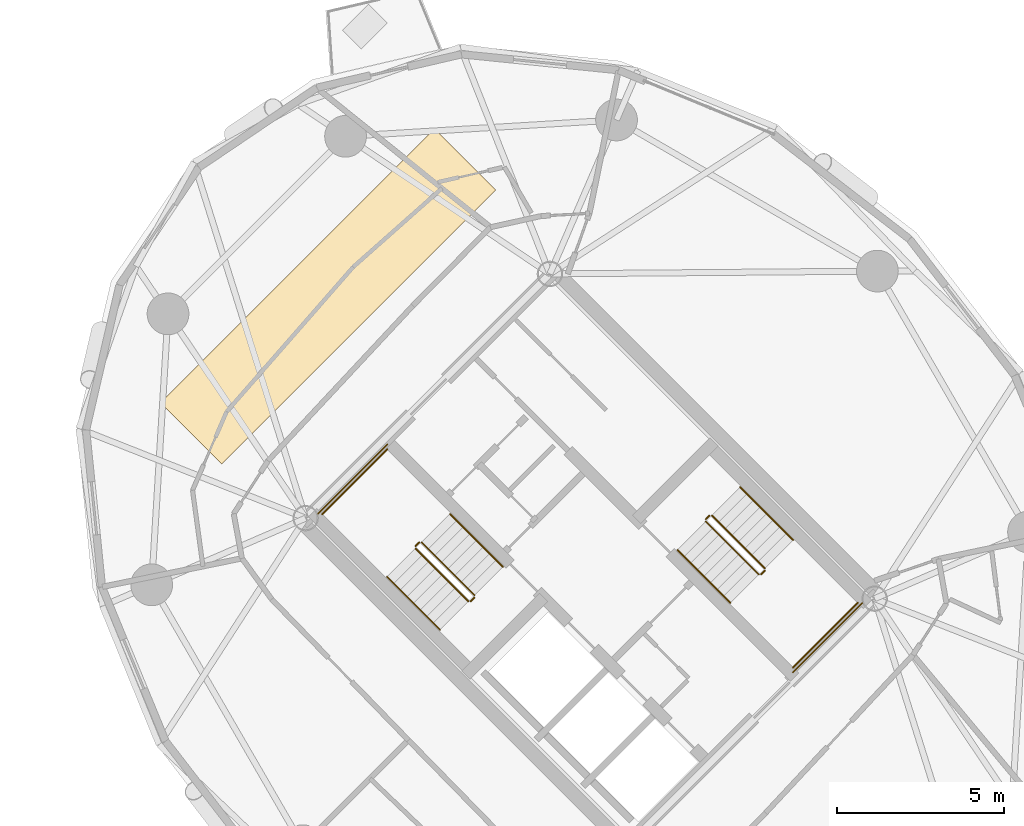
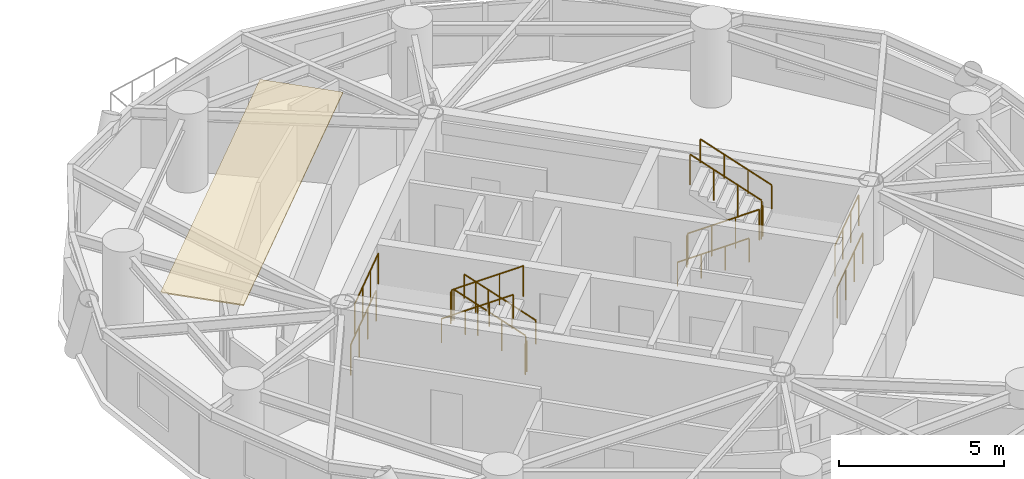
# One storey, part 15 of 16: 16 railings, 1 covering.
"""IFC4 building model written with IfcOpenShell, lengths in metres."""

import ifcopenshell
import ifcopenshell.guid

model = None  # the IFC model being written
_history = None  # IfcOwnerHistory: only IFC2X3 demands one
_inside = {}  # id of a spatial element -> (the spatial element, [elements in it])
_under = {}  # id of a project, library or spatial element -> (it, [spatial elements below it])
_declared = {}  # id of a project -> (the project, [libraries it declares])
_typed = {}  # id of a type object -> (the type object, [elements of that type])
_made_of = {}  # id of a material, layer set ... -> (it, [elements and type objects made of it])


def new_model(schema):
    """Start an empty IFC model of exactly this schema.

    Asked for "IFC4X3", IfcOpenShell would pick the latest addendum, in which some entities
    have other attributes; the version numbers below select the first issue.
    IFC2X3 requires an IfcOwnerHistory on every rooted entity: one is made here for all.
    """
    global model, _history
    if schema == "IFC4X3":
        model = ifcopenshell.file(schema_version=(4, 3, 0, 0))
    else:
        model = ifcopenshell.file(schema=schema)
    _inside.clear()
    _under.clear()
    _declared.clear()
    _typed.clear()
    _made_of.clear()
    _history = None
    if model.schema == "IFC2X3":
        org = make("IfcOrganization", Name="unknown")
        user = make(
            "IfcPersonAndOrganization",
            ThePerson=make("IfcPerson", FamilyName="unknown"),
            TheOrganization=org,
        )
        app = make(
            "IfcApplication",
            ApplicationDeveloper=org,
            Version="unknown",
            ApplicationFullName="unknown",
            ApplicationIdentifier="unknown",
        )
        _history = make(
            "IfcOwnerHistory",
            OwningUser=user,
            OwningApplication=app,
            ChangeAction="ADDED",
            CreationDate=0,
        )
    return model


def make(cls, **values):
    """One entity of the class cls with the attributes given. An attribute that is None is left unset."""
    return model.create_entity(
        cls, **{name: value for name, value in values.items() if value is not None}
    )


def rooted(cls, **values):
    """An entity with a GlobalId (a new one), such as an element, a storey or a relation."""
    return make(cls, GlobalId=ifcopenshell.guid.new(), OwnerHistory=_history, **values)


def si_unit(unit_type, name, prefix=None):
    """IfcSIUnit, for example si_unit("LENGTHUNIT", "METRE", prefix="MILLI")."""
    return make("IfcSIUnit", UnitType=unit_type, Prefix=prefix, Name=name)


def assignment(units):
    """IfcUnitAssignment: the units of a project."""
    return None if units is None else make("IfcUnitAssignment", Units=units)


def point(xyz):
    """IfcCartesianPoint."""
    return None if xyz is None else make("IfcCartesianPoint", Coordinates=xyz)


def direction(xyz):
    """IfcDirection."""
    return None if xyz is None else make("IfcDirection", DirectionRatios=xyz)


def frame(location, z_axis=None, x_axis=None):
    """IfcAxis2Placement3D, a coordinate frame: its origin and axes. An axis left out is left unset."""
    return make(
        "IfcAxis2Placement3D",
        Location=point(location),
        Axis=direction(z_axis),
        RefDirection=direction(x_axis),
    )


def frame_2d(location, x_axis=None):
    """IfcAxis2Placement2D, a coordinate frame in the plane: its origin and x axis."""
    return make(
        "IfcAxis2Placement2D", Location=point(location), RefDirection=direction(x_axis)
    )


def origin():
    """The frame at (0, 0, 0) with its axes left unset."""
    return frame((0.0, 0.0, 0.0))


def origin_2d():
    """The frame at (0, 0) in the plane with its x axis left unset."""
    return frame_2d((0.0, 0.0))


def place(relative_to, where):
    """IfcLocalPlacement: puts the frame where relative to a parent placement (None: the world)."""
    return make(
        "IfcLocalPlacement", PlacementRelTo=relative_to, RelativePlacement=where
    )


def context(
    kind, dimensions, precision=None, world=None, true_north=None, identifier=None
):
    """IfcGeometricRepresentationContext, for example the 3D "Model" context."""
    return make(
        "IfcGeometricRepresentationContext",
        ContextIdentifier=identifier,
        ContextType=kind,
        CoordinateSpaceDimension=dimensions,
        Precision=precision,
        WorldCoordinateSystem=world,
        TrueNorth=true_north,
    )


def subcontext(parent, identifier, kind, view, scale=None):
    """IfcGeometricRepresentationSubContext, for example "Body" below "Model"."""
    return make(
        "IfcGeometricRepresentationSubContext",
        ContextIdentifier=identifier,
        ContextType=kind,
        ParentContext=parent,
        TargetScale=scale,
        TargetView=view,
    )


def project(units=None, contexts=None):
    """IfcProject with its units and contexts."""
    return rooted(
        "IfcProject",
        Name="project",
        RepresentationContexts=contexts,
        UnitsInContext=assignment(units),
    )


def spatial(cls, under=None, at=None, **own):
    """A site, building, storey or space (cls), placed at a placement, below another one or the project."""
    s = rooted(cls, ObjectPlacement=at, **own)
    if under is not None:
        _under.setdefault(under.id(), (under, []))[1].append(s)
    return s


def polyline(points):
    """IfcPolyline through the points."""
    return make("IfcPolyline", Points=[point(p) for p in points])


def profile(cls, at=None, kind="AREA", **sizes):
    """A parametric profile (cls). Its sizes go by their IFC names, for example OverallWidth=200.0."""
    return make(cls, ProfileType=kind, Position=at, **sizes)


def circle(**sizes):
    """IfcCircleProfileDef."""
    return profile("IfcCircleProfileDef", **sizes)


def outline(outer, holes=None, kind="AREA"):
    """IfcArbitraryClosedProfileDef: a profile drawn as a closed curve; with holes, ...WithVoids."""
    if holes is None:
        return make("IfcArbitraryClosedProfileDef", ProfileType=kind, OuterCurve=outer)
    return make(
        "IfcArbitraryProfileDefWithVoids",
        ProfileType=kind,
        OuterCurve=outer,
        InnerCurves=holes,
    )


def extrude(swept, where, along, depth):
    """IfcExtrudedAreaSolid: the profile swept, set in the frame where, extruded along a direction by depth."""
    return make(
        "IfcExtrudedAreaSolid",
        SweptArea=swept,
        Position=where,
        ExtrudedDirection=direction(along),
        Depth=depth,
    )


def shape(context_of_items, identifier, shape_type, items):
    """IfcShapeRepresentation: the items that make up one representation, for example the "Body"."""
    return make(
        "IfcShapeRepresentation",
        ContextOfItems=context_of_items,
        RepresentationIdentifier=identifier,
        RepresentationType=shape_type,
        Items=items,
    )


def material(Name=None, Category=None):
    """IfcMaterial."""
    return make("IfcMaterial", Name=Name, Category=Category)


def layer(
    of_material, thickness, ventilated=None, Name=None, Category=None, Priority=None
):
    """IfcMaterialLayer: one layer of a wall or slab, of a material (None: an air gap)."""
    return make(
        "IfcMaterialLayer",
        Material=of_material,
        LayerThickness=thickness,
        IsVentilated=ventilated,
        Name=Name,
        Category=Category,
        Priority=Priority,
    )


def layer_set(layers, Name=None):
    """IfcMaterialLayerSet."""
    return make("IfcMaterialLayerSet", MaterialLayers=layers, LayerSetName=Name)


def made_of(thing, what):
    """Note that an element or type object is made of a material, layer set ...; save() writes the relation."""
    if what is not None:
        _made_of.setdefault(what.id(), (what, []))[1].append(thing)
    return thing


def type_object(cls, material=None, **own):
    """A type object (cls), such as IfcWallType, which elements share."""
    return made_of(rooted(cls, **own), material)


def element(
    cls,
    number,
    at=None,
    inside=None,
    cuts=None,
    type_object=None,
    material=None,
    context=None,
    identifier="Body",
    shape_type=None,
    held_by="IfcProductDefinitionShape",
    body=None,
    shapes=None,
    **own,
):
    """One element of the class cls, such as IfcWall. Its Tag is "e" and its number.

    at: its placement. inside: the storey or other place that contains it. cuts: it is an
    opening in that element (IfcRelVoidsElement). A single representation is given by context,
    identifier, shape_type and body (its items); several are given by shapes. held_by: the class
    of the entity that holds the representations. save() writes the other relations.
    """
    e = rooted(cls, Tag="e%d" % number, ObjectPlacement=at, **own)
    if body is not None:
        shapes = [shape(context, identifier, shape_type, body)]
    if shapes is not None:
        e.Representation = make(held_by, Representations=shapes)
    if inside is not None:
        _inside.setdefault(inside.id(), (inside, []))[1].append(e)
    if cuts is not None:
        rooted(
            "IfcRelVoidsElement", RelatingBuildingElement=cuts, RelatedOpeningElement=e
        )
    if type_object is not None:
        _typed.setdefault(type_object.id(), (type_object, []))[1].append(e)
    return made_of(e, material)


def aggregate(whole, parts):
    """IfcRelAggregates: a whole, such as a stair, and the parts it consists of."""
    return rooted("IfcRelAggregates", RelatingObject=whole, RelatedObjects=parts)


def save(model, path):
    """Write the relations noted so far, then the file.

    IfcRelAggregates (storeys below a building ...), IfcRelContainedInSpatialStructure (elements
    in a storey), IfcRelDefinesByType, IfcRelAssociatesMaterial and IfcRelDeclares: one each for
    every whole, place, type object, material and project.
    """
    for whole, parts in _under.values():
        aggregate(whole, parts)
    for where, things in _inside.values():
        rooted(
            "IfcRelContainedInSpatialStructure",
            RelatedElements=things,
            RelatingStructure=where,
        )
    for kind, things in _typed.values():
        rooted("IfcRelDefinesByType", RelatedObjects=things, RelatingType=kind)
    for what, things in _made_of.values():
        rooted("IfcRelAssociatesMaterial", RelatedObjects=things, RelatingMaterial=what)
    for by, libraries in _declared.values():
        rooted("IfcRelDeclares", RelatingContext=by, RelatedDefinitions=libraries)
    model.write(path)


model = new_model("IFC4")

# Units and contexts
model_context = context("Model", 3, precision=1e-05, world=origin(), true_north=direction((0.0, 1.0)))
body_context = subcontext(model_context, "Body", "Model", "MODEL_VIEW")
ifc_project = project(units=[si_unit("LENGTHUNIT", "METRE"), si_unit("AREAUNIT", "SQUARE_METRE"), si_unit("VOLUMEUNIT", "CUBIC_METRE"), si_unit("PLANEANGLEUNIT", "RADIAN"), si_unit("MASSUNIT", "GRAM", prefix="KILO")], contexts=[model_context])

# Site, building, storey
site_placement = place(None, origin())
site = spatial("IfcSite", under=ifc_project, at=site_placement, CompositionType="ELEMENT")
building_placement = place(site_placement, origin())
building = spatial("IfcBuilding", under=site, at=building_placement, Name="Cununo Teusaquillo Station Towers", CompositionType="ELEMENT")
storey_placement = place(building_placement, frame((0.0, 0.0, 171.969970703125)))
storey = spatial("IfcBuildingStorey", under=building, at=storey_placement, Name="L54", CompositionType="ELEMENT", Elevation=171.969970703125)

# Covering
ifc_material_1 = material(Name="Mineral-fibre acoustic suspended ceiling tile", Category="finish")
ifc_layer = layer(ifc_material_1, 0.044921875)
ifc_layer_set = layer_set([ifc_layer], Name="Mineral-fibre acoustic suspended ceiling tile")
covering_type = type_object("IfcCoveringType", Name="COV-CEIL-600", PredefinedType="CEILING", material=ifc_layer_set)
covering_placement = place(storey_placement, frame((0.0, 0.0, 2.64501953125)))
element("IfcCovering", 1, at=covering_placement, inside=storey, type_object=covering_type, Name="L54 Tower B Acoustic Ceiling", PredefinedType="CEILING", context=body_context, shape_type="SweptSolid", body=[
    extrude(outline(polyline([(52.8330078125, 37.369384765625), (54.671630859375, 35.531005859375), (46.468994140625, 27.328369140625), (44.630615234375, 29.1669921875), (52.8330078125, 37.369384765625)])), origin(), (0.0, 0.0, 1.0), 0.044921875),
])

# Railings
ifc_material_2 = material(Name="Steel EN 10025-2 S355J2", Category="steel")
railing_type_1 = type_object("IfcRailingType", Name="RL-INT-GUARD", PredefinedType="GUARDRAIL", material=ifc_material_2)
railing_1_placement = place(storey_placement, frame((54.03515625, 23.39697265625, 0.16162109375)))
element("IfcRailing", 2, at=railing_1_placement, inside=storey, type_object=railing_type_1, Name="L54 ST-T2-1 stair guard 1", PredefinedType="GUARDRAIL", context=body_context, shape_type="SweptSolid", body=[
    extrude(circle(Radius=0.02392578125, at=origin_2d()), frame((0.0, 0.0, 1.1259765625), z_axis=(-0.612332353853, 0.612332353853, 0.500098167213), x_axis=(-0.707106781187, -0.707106781187, 0.0)), (0.0, 0.0, 1.0), 2.58642578125),
    extrude(circle(Radius=0.02099609375, at=origin_2d()), origin(), (0.0, 0.0, 1.0), 1.101806640625),
    extrude(circle(Radius=0.02099609375, at=origin_2d()), frame((-0.52783203125, 0.52783203125, 0.43115234375)), (0.0, 0.0, 1.0), 1.101806640625),
    extrude(circle(Radius=0.02099609375, at=origin_2d()), frame((-1.055908203125, 1.055908203125, 0.8623046875)), (0.0, 0.0, 1.0), 1.101806640625),
    extrude(circle(Radius=0.02099609375, at=origin_2d()), frame((-1.583740234375, 1.583740234375, 1.29345703125)), (0.0, 0.0, 1.0), 1.101806640625),
])
railing_2_placement = place(storey_placement, frame((52.380615234375, 24.980712890625, 1.455078125)))
element("IfcRailing", 3, at=railing_2_placement, inside=storey, type_object=railing_type_1, Name="L54 ST-T2-1 stair guard 2", PredefinedType="GUARDRAIL", context=body_context, shape_type="SweptSolid", body=[
    extrude(circle(Radius=0.02392578125, at=origin_2d()), frame((0.0, 0.0, 1.1259765625), z_axis=(-0.7078691598, -0.706343579714, 0.0), x_axis=(0.706343579714, -0.7078691598, 0.0)), (0.0, 0.0, 1.0), 0.159912109375),
    extrude(circle(Radius=0.02099609375, at=origin_2d()), origin(), (0.0, 0.0, 1.0), 1.101806640625),
    extrude(circle(Radius=0.02099609375, at=origin_2d()), frame((-0.11328125, -0.113037109375, 0.0)), (0.0, 0.0, 1.0), 1.101806640625),
])
railing_3_placement = place(storey_placement, frame((51.426025390625, 27.77392578125, 1.455078125)))
element("IfcRailing", 4, at=railing_3_placement, inside=storey, type_object=railing_type_1, Name="L54 ST-T2-1 stair guard 3", PredefinedType="GUARDRAIL", context=body_context, shape_type="SweptSolid", body=[
    extrude(circle(Radius=0.02392578125, at=origin_2d()), frame((0.0, 0.0, 1.1259765625), z_axis=(-0.707106781187, -0.707106781187, 0.0), x_axis=(0.707106781187, -0.707106781187, 0.0)), (0.0, 0.0, 1.0), 2.760009765625),
    extrude(circle(Radius=0.02099609375, at=origin_2d()), origin(), (0.0, 0.0, 1.0), 1.101806640625),
    extrude(circle(Radius=0.02099609375, at=origin_2d()), frame((-0.650634765625, -0.650634765625, 0.0)), (0.0, 0.0, 1.0), 1.101806640625),
    extrude(circle(Radius=0.02099609375, at=origin_2d()), frame((-1.301025390625, -1.301025390625, 0.0)), (0.0, 0.0, 1.0), 1.101806640625),
    extrude(circle(Radius=0.02099609375, at=origin_2d()), frame((-1.95166015625, -1.95166015625, 0.0)), (0.0, 0.0, 1.0), 1.101806640625),
])
railing_4_placement = place(storey_placement, frame((52.267333984375, 24.796875, 1.61669921875)))
element("IfcRailing", 5, at=railing_4_placement, inside=storey, type_object=railing_type_1, Name="L54 ST-T2-1 stair guard 4", PredefinedType="GUARDRAIL", context=body_context, shape_type="SweptSolid", body=[
    extrude(circle(Radius=0.02392578125, at=origin_2d()), frame((0.0, 0.0, 1.1259765625), z_axis=(0.612420254088, -0.612325861324, 0.499998471934), x_axis=(0.707052281454, 0.707161276719, 0.0)), (0.0, 0.0, 1.0), 2.58642578125),
    extrude(circle(Radius=0.02099609375, at=origin_2d()), origin(), (0.0, 0.0, 1.0), 1.101806640625),
    extrude(circle(Radius=0.02099609375, at=origin_2d()), frame((0.528076171875, -0.52783203125, 0.43115234375)), (0.0, 0.0, 1.0), 1.101806640625),
    extrude(circle(Radius=0.02099609375, at=origin_2d()), frame((1.055908203125, -1.055908203125, 0.862060546875)), (0.0, 0.0, 1.0), 1.101806640625),
    extrude(circle(Radius=0.02099609375, at=origin_2d()), frame((1.583984375, -1.583740234375, 1.293212890625)), (0.0, 0.0, 1.0), 1.101806640625),
])
railing_5_placement = place(storey_placement, frame((54.03515625, 23.326171875, 0.0)))
element("IfcRailing", 6, at=railing_5_placement, inside=storey, type_object=railing_type_1, Name="L54 ST-T2-1 stair guard 5", PredefinedType="GUARDRAIL", context=body_context, shape_type="SweptSolid", body=[
    extrude(circle(Radius=0.02392578125, at=origin_2d()), frame((0.0, 0.0, 1.1259765625), z_axis=(-0.707106781187, -0.707106781187, 0.0), x_axis=(0.707106781187, -0.707106781187, 0.0)), (0.0, 0.0, 1.0), 0.159912109375),
    extrude(circle(Radius=0.02099609375, at=origin_2d()), origin(), (0.0, 0.0, 1.0), 1.101806640625),
    extrude(circle(Radius=0.02099609375, at=origin_2d()), frame((-0.113037109375, -0.113037109375, 0.0)), (0.0, 0.0, 1.0), 1.101806640625),
])
railing_6_placement = place(storey_placement, frame((51.426025390625, 27.915283203125, 0.0)))
element("IfcRailing", 7, at=railing_6_placement, inside=storey, type_object=railing_type_1, Name="L54 ST-T2-1 stair guard 6", PredefinedType="GUARDRAIL", context=body_context, shape_type="SweptSolid", body=[
    extrude(circle(Radius=0.02392578125, at=origin_2d()), frame((0.0, 0.0, 1.1259765625), z_axis=(-0.707106781187, -0.707106781187, 0.0), x_axis=(0.707106781187, -0.707106781187, 0.0)), (0.0, 0.0, 1.0), 2.9599609375),
    extrude(circle(Radius=0.02099609375, at=origin_2d()), origin(), (0.0, 0.0, 1.0), 1.101806640625),
    extrude(circle(Radius=0.02099609375, at=origin_2d()), frame((-0.69775390625, -0.69775390625, 0.0)), (0.0, 0.0, 1.0), 1.101806640625),
    extrude(circle(Radius=0.02099609375, at=origin_2d()), frame((-1.395263671875, -1.395263671875, 0.0)), (0.0, 0.0, 1.0), 1.101806640625),
    extrude(circle(Radius=0.02099609375, at=origin_2d()), frame((-2.093017578125, -2.093017578125, 0.0)), (0.0, 0.0, 1.0), 1.101806640625),
])
railing_7_placement = place(storey_placement, frame((60.96484375, 25.60302734375, 0.16162109375)))
element("IfcRailing", 8, at=railing_7_placement, inside=storey, type_object=railing_type_1, Name="L54 ST-T2-2 stair guard 1", PredefinedType="GUARDRAIL", context=body_context, shape_type="SweptSolid", body=[
    extrude(circle(Radius=0.02392578125, at=origin_2d()), frame((0.0, 0.0, 1.1259765625), z_axis=(0.612332353853, -0.612332353853, 0.500098167213), x_axis=(0.707106781187, 0.707106781187, 0.0)), (0.0, 0.0, 1.0), 2.58642578125),
    extrude(circle(Radius=0.02099609375, at=origin_2d()), origin(), (0.0, 0.0, 1.0), 1.101806640625),
    extrude(circle(Radius=0.02099609375, at=origin_2d()), frame((0.52783203125, -0.52783203125, 0.43115234375)), (0.0, 0.0, 1.0), 1.101806640625),
    extrude(circle(Radius=0.02099609375, at=origin_2d()), frame((1.055908203125, -1.055908203125, 0.8623046875)), (0.0, 0.0, 1.0), 1.101806640625),
    extrude(circle(Radius=0.02099609375, at=origin_2d()), frame((1.583740234375, -1.583740234375, 1.29345703125)), (0.0, 0.0, 1.0), 1.101806640625),
])
railing_8_placement = place(storey_placement, frame((62.619384765625, 24.019287109375, 1.455078125)))
element("IfcRailing", 9, at=railing_8_placement, inside=storey, type_object=railing_type_1, Name="L54 ST-T2-2 stair guard 2", PredefinedType="GUARDRAIL", context=body_context, shape_type="SweptSolid", body=[
    extrude(circle(Radius=0.02392578125, at=origin_2d()), frame((0.0, 0.0, 1.1259765625), z_axis=(0.7078691598, 0.706343579714, 0.0), x_axis=(-0.706343579714, 0.7078691598, 0.0)), (0.0, 0.0, 1.0), 0.159912109375),
    extrude(circle(Radius=0.02099609375, at=origin_2d()), origin(), (0.0, 0.0, 1.0), 1.101806640625),
    extrude(circle(Radius=0.02099609375, at=origin_2d()), frame((0.11328125, 0.113037109375, 0.0)), (0.0, 0.0, 1.0), 1.101806640625),
])
railing_9_placement = place(storey_placement, frame((63.573974609375, 21.22607421875, 1.455078125)))
element("IfcRailing", 10, at=railing_9_placement, inside=storey, type_object=railing_type_1, Name="L54 ST-T2-2 stair guard 3", PredefinedType="GUARDRAIL", context=body_context, shape_type="SweptSolid", body=[
    extrude(circle(Radius=0.02392578125, at=origin_2d()), frame((0.0, 0.0, 1.1259765625), z_axis=(0.707106781187, 0.707106781187, 0.0), x_axis=(-0.707106781187, 0.707106781187, 0.0)), (0.0, 0.0, 1.0), 2.760009765625),
    extrude(circle(Radius=0.02099609375, at=origin_2d()), origin(), (0.0, 0.0, 1.0), 1.101806640625),
    extrude(circle(Radius=0.02099609375, at=origin_2d()), frame((0.650634765625, 0.650634765625, 0.0)), (0.0, 0.0, 1.0), 1.101806640625),
    extrude(circle(Radius=0.02099609375, at=origin_2d()), frame((1.301025390625, 1.301025390625, 0.0)), (0.0, 0.0, 1.0), 1.101806640625),
    extrude(circle(Radius=0.02099609375, at=origin_2d()), frame((1.95166015625, 1.95166015625, 0.0)), (0.0, 0.0, 1.0), 1.101806640625),
])
railing_10_placement = place(storey_placement, frame((62.732666015625, 24.203125, 1.61669921875)))
element("IfcRailing", 11, at=railing_10_placement, inside=storey, type_object=railing_type_1, Name="L54 ST-T2-2 stair guard 4", PredefinedType="GUARDRAIL", context=body_context, shape_type="SweptSolid", body=[
    extrude(circle(Radius=0.02392578125, at=origin_2d()), frame((0.0, 0.0, 1.1259765625), z_axis=(-0.612420254088, 0.612325861324, 0.499998471934), x_axis=(-0.707052281454, -0.707161276719, 0.0)), (0.0, 0.0, 1.0), 2.58642578125),
    extrude(circle(Radius=0.02099609375, at=origin_2d()), origin(), (0.0, 0.0, 1.0), 1.101806640625),
    extrude(circle(Radius=0.02099609375, at=origin_2d()), frame((-0.528076171875, 0.52783203125, 0.43115234375)), (0.0, 0.0, 1.0), 1.101806640625),
    extrude(circle(Radius=0.02099609375, at=origin_2d()), frame((-1.055908203125, 1.055908203125, 0.862060546875)), (0.0, 0.0, 1.0), 1.101806640625),
    extrude(circle(Radius=0.02099609375, at=origin_2d()), frame((-1.583984375, 1.583740234375, 1.293212890625)), (0.0, 0.0, 1.0), 1.101806640625),
])
railing_11_placement = place(storey_placement, frame((60.96484375, 25.673828125, 0.0)))
element("IfcRailing", 12, at=railing_11_placement, inside=storey, type_object=railing_type_1, Name="L54 ST-T2-2 stair guard 5", PredefinedType="GUARDRAIL", context=body_context, shape_type="SweptSolid", body=[
    extrude(circle(Radius=0.02392578125, at=origin_2d()), frame((0.0, 0.0, 1.1259765625), z_axis=(0.707106781187, 0.707106781187, 0.0), x_axis=(-0.707106781187, 0.707106781187, 0.0)), (0.0, 0.0, 1.0), 0.159912109375),
    extrude(circle(Radius=0.02099609375, at=origin_2d()), origin(), (0.0, 0.0, 1.0), 1.101806640625),
    extrude(circle(Radius=0.02099609375, at=origin_2d()), frame((0.113037109375, 0.113037109375, 0.0)), (0.0, 0.0, 1.0), 1.101806640625),
])
railing_12_placement = place(storey_placement, frame((63.573974609375, 21.084716796875, 0.0)))
element("IfcRailing", 13, at=railing_12_placement, inside=storey, type_object=railing_type_1, Name="L54 ST-T2-2 stair guard 6", PredefinedType="GUARDRAIL", context=body_context, shape_type="SweptSolid", body=[
    extrude(circle(Radius=0.02392578125, at=origin_2d()), frame((0.0, 0.0, 1.1259765625), z_axis=(0.707106781187, 0.707106781187, 0.0), x_axis=(-0.707106781187, 0.707106781187, 0.0)), (0.0, 0.0, 1.0), 2.9599609375),
    extrude(circle(Radius=0.02099609375, at=origin_2d()), origin(), (0.0, 0.0, 1.0), 1.101806640625),
    extrude(circle(Radius=0.02099609375, at=origin_2d()), frame((0.69775390625, 0.69775390625, 0.0)), (0.0, 0.0, 1.0), 1.101806640625),
    extrude(circle(Radius=0.02099609375, at=origin_2d()), frame((1.395263671875, 1.395263671875, 0.0)), (0.0, 0.0, 1.0), 1.101806640625),
    extrude(circle(Radius=0.02099609375, at=origin_2d()), frame((2.093017578125, 2.093017578125, 0.0)), (0.0, 0.0, 1.0), 1.101806640625),
])
ifc_material_3 = material(Name="Steel EN 10025-2 S355J2", Category="steel")
railing_type_2 = type_object("IfcRailingType", Name="RL-INT-HRAIL", PredefinedType="HANDRAIL", material=ifc_material_3)
railing_13_placement = place(storey_placement, frame((54.8837890625, 24.245361328125, 0.16162109375)))
element("IfcRailing", 14, at=railing_13_placement, inside=storey, type_object=railing_type_2, Name="L54 ST-T2-1 stair handrail 1", PredefinedType="HANDRAIL", context=body_context, shape_type="SweptSolid", body=[
    extrude(circle(Radius=0.02392578125, at=origin_2d()), frame((0.0, 0.0, 0.8759765625), z_axis=(-0.612355957468, 0.612355957468, 0.500040361077), x_axis=(-0.707106781187, -0.707106781187, 0.0)), (0.0, 0.0, 1.0), 2.586669921875),
    extrude(circle(Radius=0.02099609375, at=origin_2d()), origin(), (0.0, 0.0, 1.0), 0.851806640625),
    extrude(circle(Radius=0.02099609375, at=origin_2d()), frame((-0.528076171875, 0.528076171875, 0.43115234375)), (0.0, 0.0, 1.0), 0.851806640625),
    extrude(circle(Radius=0.02099609375, at=origin_2d()), frame((-1.055908203125, 1.055908203125, 0.8623046875)), (0.0, 0.0, 1.0), 0.851806640625),
    extrude(circle(Radius=0.02099609375, at=origin_2d()), frame((-1.583984375, 1.583984375, 1.29345703125)), (0.0, 0.0, 1.0), 0.851806640625),
])
railing_14_placement = place(storey_placement, frame((51.4189453125, 23.948486328125, 1.61669921875)))
element("IfcRailing", 15, at=railing_14_placement, inside=storey, type_object=railing_type_2, Name="L54 ST-T2-1 stair handrail 2", PredefinedType="HANDRAIL", context=body_context, shape_type="SweptSolid", body=[
    extrude(circle(Radius=0.02392578125, at=origin_2d()), frame((0.0, 0.0, 0.8759765625), z_axis=(0.612384857071, -0.612384857071, 0.499969572735), x_axis=(0.707106781187, 0.707106781187, 0.0)), (0.0, 0.0, 1.0), 2.586669921875),
    extrude(circle(Radius=0.02099609375, at=origin_2d()), origin(), (0.0, 0.0, 1.0), 0.851806640625),
    extrude(circle(Radius=0.02099609375, at=origin_2d()), frame((0.528076171875, -0.528076171875, 0.43115234375)), (0.0, 0.0, 1.0), 0.851806640625),
    extrude(circle(Radius=0.02099609375, at=origin_2d()), frame((1.055908203125, -1.055908203125, 0.862060546875)), (0.0, 0.0, 1.0), 0.851806640625),
    extrude(circle(Radius=0.02099609375, at=origin_2d()), frame((1.583984375, -1.583984375, 1.293212890625)), (0.0, 0.0, 1.0), 0.851806640625),
])
railing_15_placement = place(storey_placement, frame((60.1162109375, 24.754638671875, 0.16162109375)))
element("IfcRailing", 16, at=railing_15_placement, inside=storey, type_object=railing_type_2, Name="L54 ST-T2-2 stair handrail 1", PredefinedType="HANDRAIL", context=body_context, shape_type="SweptSolid", body=[
    extrude(circle(Radius=0.02392578125, at=origin_2d()), frame((0.0, 0.0, 0.8759765625), z_axis=(0.612355957468, -0.612355957468, 0.500040361077), x_axis=(0.707106781187, 0.707106781187, 0.0)), (0.0, 0.0, 1.0), 2.586669921875),
    extrude(circle(Radius=0.02099609375, at=origin_2d()), origin(), (0.0, 0.0, 1.0), 0.851806640625),
    extrude(circle(Radius=0.02099609375, at=origin_2d()), frame((0.528076171875, -0.528076171875, 0.43115234375)), (0.0, 0.0, 1.0), 0.851806640625),
    extrude(circle(Radius=0.02099609375, at=origin_2d()), frame((1.055908203125, -1.055908203125, 0.8623046875)), (0.0, 0.0, 1.0), 0.851806640625),
    extrude(circle(Radius=0.02099609375, at=origin_2d()), frame((1.583984375, -1.583984375, 1.29345703125)), (0.0, 0.0, 1.0), 0.851806640625),
])
railing_16_placement = place(storey_placement, frame((63.5810546875, 25.051513671875, 1.61669921875)))
element("IfcRailing", 17, at=railing_16_placement, inside=storey, type_object=railing_type_2, Name="L54 ST-T2-2 stair handrail 2", PredefinedType="HANDRAIL", context=body_context, shape_type="SweptSolid", body=[
    extrude(circle(Radius=0.02392578125, at=origin_2d()), frame((0.0, 0.0, 0.8759765625), z_axis=(-0.612384857071, 0.612384857071, 0.499969572735), x_axis=(-0.707106781187, -0.707106781187, 0.0)), (0.0, 0.0, 1.0), 2.586669921875),
    extrude(circle(Radius=0.02099609375, at=origin_2d()), origin(), (0.0, 0.0, 1.0), 0.851806640625),
    extrude(circle(Radius=0.02099609375, at=origin_2d()), frame((-0.528076171875, 0.528076171875, 0.43115234375)), (0.0, 0.0, 1.0), 0.851806640625),
    extrude(circle(Radius=0.02099609375, at=origin_2d()), frame((-1.055908203125, 1.055908203125, 0.862060546875)), (0.0, 0.0, 1.0), 0.851806640625),
    extrude(circle(Radius=0.02099609375, at=origin_2d()), frame((-1.583984375, 1.583984375, 1.293212890625)), (0.0, 0.0, 1.0), 0.851806640625),
])

save(model, "model.ifc")
